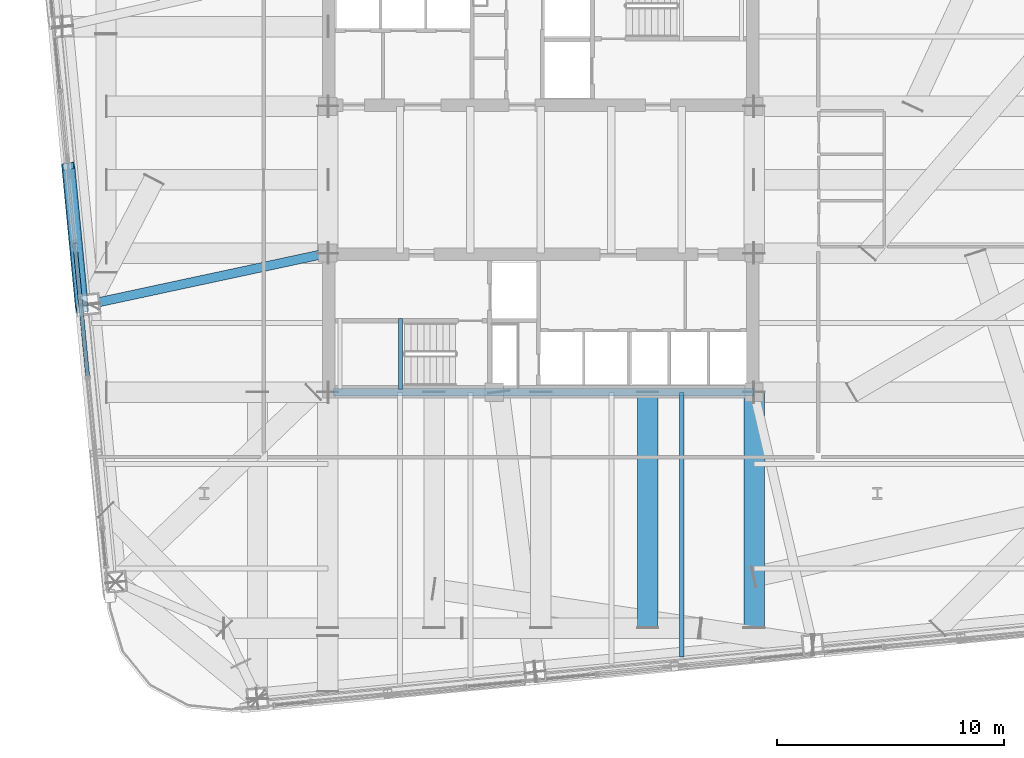
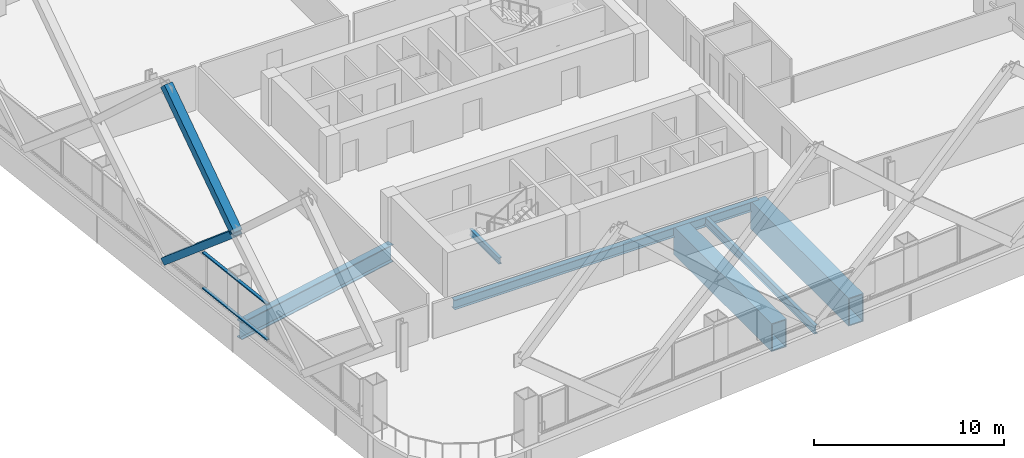
# One storey, part 11 of 42: 6 beams, 4 members, 1 element without a shape of its own.
"""IFC4 building model written with IfcOpenShell, lengths in metres."""

from ifc_helpers import new_model, si_unit, direction, frame, origin, origin_2d, place, context, subcontext, project, spatial, hollow_rectangle, i_section, extrude, material, layer, layer_set, material_profile, profile_set, type_object, element, aggregate, save


model = new_model("IFC4")

# Units and contexts
model_context = context("Model", 3, precision=1e-05, world=origin(), true_north=direction((0.0, 1.0)))
body_context = subcontext(model_context, "Body", "Model", "MODEL_VIEW")
ifc_project = project(units=[si_unit("LENGTHUNIT", "METRE"), si_unit("AREAUNIT", "SQUARE_METRE"), si_unit("VOLUMEUNIT", "CUBIC_METRE"), si_unit("PLANEANGLEUNIT", "RADIAN"), si_unit("MASSUNIT", "GRAM", prefix="KILO")], contexts=[model_context])

# Site, building, storey
site_placement = place(None, origin())
site = spatial("IfcSite", under=ifc_project, at=site_placement, CompositionType="ELEMENT")
building_placement = place(site_placement, origin())
building = spatial("IfcBuilding", under=site, at=building_placement, Name="Qhalaya Broadcast Tower", CompositionType="ELEMENT")
storey_placement = place(building_placement, frame((0.0, 0.0, 69.449951171875)))
storey = spatial("IfcBuildingStorey", under=building, at=storey_placement, Name="L19", CompositionType="ELEMENT", Elevation=69.449951171875)

# Beams
ifc_material_1 = material(Name="Structural Steel ASTM A572 Grade 50", Category="steel")
ifc_material_profile_1 = material_profile(ifc_material_1, hollow_rectangle(XDim=0.89990234375, YDim=1.800048828125, WallThickness=0.06005859375, at=origin_2d()), Name="BOX 900x1800x60")
ifc_profile_set_1 = profile_set([ifc_material_profile_1], Name="Structural Steel ASTM A572 Grade 50")
beam_type_1 = type_object("IfcBeamType", Name="Block Cantilever Transfer Box Girder TG1", PredefinedType="USERDEFINED", material=ifc_profile_set_1)
for number, where, z_axis, x_axis, name in (
    (1, (4.699951171875, -19.090087890625, -1.119873046875), (0.0, 1.0, 0.0), (-1.0, 0.0, 0.0), "L19 TG1 L19-TGIMSE-1"),
    (2, (9.375, -19.090087890625, -1.119873046875), (0.0, 1.0, 0.0), (-1.0, 0.0, 0.0), "L19 TG1 L19-TGISE-1"),
):
    element("IfcBeam", number, at=place(storey_placement, frame(where, z_axis=z_axis, x_axis=x_axis)), inside=storey, type_object=beam_type_1, Name=name, ObjectType="GIRDER", PredefinedType="USERDEFINED", context=body_context, shape_type="SweptSolid", body=[
        extrude(hollow_rectangle(XDim=0.89990234375, YDim=1.800048828125, WallThickness=0.06005859375, at=origin_2d()), origin(), (0.0, 0.0, 1.0), 10.340087890625),
    ])
ifc_material_2 = material(Name="Structural Steel ASTM A992 Grade 50", Category="steel")
ifc_material_profile_2 = material_profile(ifc_material_2, i_section(OverallWidth=0.2099609375, OverallDepth=0.535888671875, WebThickness=0.010986328125, FlangeThickness=0.017333984375, at=origin_2d()), Name="W21X68")
ifc_profile_set_2 = profile_set([ifc_material_profile_2], Name="Structural Steel ASTM A992 Grade 50")
beam_type_2 = type_object("IfcBeamType", Name="Composite Floor Joist J02", PredefinedType="JOIST", material=ifc_profile_set_2)
beam_1_placement = place(storey_placement, frame((6.199951171875, -20.395263671875, -0.488037109375), z_axis=(0.0, 1.0, 0.0), x_axis=(-1.0, 0.0, 0.0)))
element("IfcBeam", 3, at=beam_1_placement, inside=storey, type_object=beam_type_2, Name="L19 J02 L19-JNS5-1", PredefinedType="JOIST", context=body_context, shape_type="SweptSolid", body=[
    extrude(i_section(OverallWidth=0.2099609375, OverallDepth=0.535888671875, WebThickness=0.010986328125, FlangeThickness=0.017333984375, at=origin_2d()), origin(), (0.0, 0.0, 1.0), 11.645263671875),
])
ifc_material_profile_3 = material_profile(ifc_material_2, i_section(OverallWidth=0.323974609375, OverallDepth=0.612060546875, WebThickness=0.0126953125, FlangeThickness=0.01904296875, at=origin_2d()), Name="W24X104")
ifc_profile_set_3 = profile_set([ifc_material_profile_3], Name="Structural Steel ASTM A992 Grade 50")
beam_type_3 = type_object("IfcBeamType", Name="Core Frame Tie Beam B04", PredefinedType="BEAM", material=ifc_profile_set_3)
beam_2_placement = place(storey_placement, frame((-9.1201171875, -8.75, -0.52587890625), z_axis=(1.0, 0.0, 0.0), x_axis=(0.0, 1.0, 0.0)))
element("IfcBeam", 4, at=beam_2_placement, inside=storey, type_object=beam_type_3, Name="L19 B04 L19-CCS3", PredefinedType="BEAM", context=body_context, shape_type="SweptSolid", body=[
    extrude(i_section(OverallWidth=0.323974609375, OverallDepth=0.612060546875, WebThickness=0.0126953125, FlangeThickness=0.01904296875, at=origin_2d()), origin(), (0.0, 0.0, 1.0), 18.4951171875),
])

# Members
ifc_material_profile_4 = material_profile(ifc_material_1, hollow_rectangle(XDim=0.419921875, YDim=0.550048828125, WallThickness=0.028076171875, at=origin_2d()), Name="BOX 420x550x28")
ifc_profile_set_4 = profile_set([ifc_material_profile_4], Name="Structural Steel ASTM A572 Grade 50")
member_type_1 = type_object("IfcMemberType", Name="Exoskeleton Diamond Diagonal Mid-Low EX2", PredefinedType="BRACE", material=ifc_profile_set_4)
member_1_placement = place(storey_placement, frame((-20.78759765625, 1.197509765625, 0.360107421875), z_axis=(0.073066636585, -0.758635580976, 0.647405067864), x_axis=(-0.157184996454, 0.632267567763, 0.758637330775)))
element("IfcMember", 5, at=member_1_placement, inside=storey, type_object=member_type_1, Name="B2 Exoskeleton Diamond Brace W2-D2", PredefinedType="BRACE", context=body_context, shape_type="SweptSolid", body=[
    extrude(hollow_rectangle(XDim=0.419921875, YDim=0.550048828125, WallThickness=0.028076171875, at=origin_2d()), origin(), (0.0, 0.0, 1.0), 8.309814453125),
])
member_2_placement = place(storey_placement, frame((-20.180419921875, -5.106689453125, 5.739990234375), z_axis=(-0.070368182799, 0.730618100613, 0.6791505797), x_axis=(0.160214414414, -0.663721379818, 0.730619785789)))
element("IfcMember", 6, at=member_2_placement, inside=storey, type_object=member_type_1, Name="B2 Exoskeleton Diamond Brace W2-D4", PredefinedType="BRACE", context=body_context, shape_type="SweptSolid", body=[
    extrude(hollow_rectangle(XDim=0.419921875, YDim=0.550048828125, WallThickness=0.028076171875, at=origin_2d()), origin(), (0.0, 0.0, 1.0), 8.628662109375),
])

# Beam
ifc_material_profile_5 = material_profile(ifc_material_2, i_section(OverallWidth=0.404052734375, OverallDepth=1.117919921875, WebThickness=0.026123046875, FlangeThickness=0.044921875, at=origin_2d()), Name="W44X335")
ifc_profile_set_5 = profile_set([ifc_material_profile_5], Name="Structural Steel ASTM A992 Grade 50")
beam_type_4 = type_object("IfcBeamType", Name="Podium Long-Span Primary Girder PG1", PredefinedType="USERDEFINED", material=ifc_profile_set_5)
beam_3_placement = place(storey_placement, frame((-9.375, -2.625, -0.779052734375), z_axis=(-0.977745411902, -0.209794922495, 0.0), x_axis=(0.209794922495, -0.977745411902, 0.0)))
element("IfcBeam", 7, at=beam_3_placement, inside=storey, type_object=beam_type_4, Name="L19 Column-to-Column Moment Tie Girder 15-1", ObjectType="GIRDER", PredefinedType="USERDEFINED", context=body_context, shape_type="SweptSolid", body=[
    extrude(i_section(OverallWidth=0.404052734375, OverallDepth=1.117919921875, WebThickness=0.026123046875, FlangeThickness=0.044921875, at=origin_2d()), origin(), (0.0, 0.0, 1.0), 10.724853515625),
])

# Curtain wall, members
ifc_material_3 = material(Name="Solar-Control Low-E Triple Glazing", Category="glass")
ifc_layer = layer(ifc_material_3, 0.219970703125, Name="Solar-Control Low-E Triple Glazing")
ifc_layer_set = layer_set([ifc_layer], Name="Solar-Control Low-E Triple Glazing")
curtain_wall_type = type_object("IfcCurtainWallType", Name="Even-Block 4-Storey Double-Module Curtain Wall CW-03", PredefinedType="NOTDEFINED", material=ifc_layer_set)
curtain_wall_placement = place(storey_placement, origin())
curtain_wall = element("IfcCurtainWall", 8, at=curtain_wall_placement, inside=storey, type_object=curtain_wall_type, Name="L19 Unitised Curtain Wall L19-CW-W5", PredefinedType="NOTDEFINED")
ifc_material_4 = material(Name="Anodised Aluminium 6063-T6", Category="aluminium")
ifc_material_profile_6 = material_profile(ifc_material_4, hollow_rectangle(XDim=0.074951171875, YDim=0.179931640625, WallThickness=0.00390625, at=origin_2d()), Name="ALU-TRN 75x180x4")
ifc_profile_set_6 = profile_set([ifc_material_profile_6], Name="Anodised Aluminium 6063-T6")
member_type_2 = type_object("IfcMemberType", Name="Unitised Curtain-Wall Transom T01", PredefinedType="USERDEFINED", material=ifc_profile_set_6)
member_3_placement = place(storey_placement, frame((-20.500732421875, -2.196533203125, 0.517578125), z_axis=(0.095836372519, -0.995397101514, 0.0), x_axis=(0.0, 0.0, 1.0)))
member_3 = element("IfcMember", 9, at=member_3_placement, type_object=member_type_2, Name="CW-03 transom 1.1", ObjectType="TRANSOM", PredefinedType="USERDEFINED", context=body_context, shape_type="SweptSolid", body=[
    extrude(hollow_rectangle(XDim=0.074951171875, YDim=0.179931640625, WallThickness=0.00390625, at=origin_2d()), origin(), (0.0, 0.0, 1.0), 5.85400390625),
])
member_4_placement = place(storey_placement, frame((-20.500732421875, -2.196533203125, 2.79248046875), z_axis=(0.095836372519, -0.995397101514, 0.0), x_axis=(0.0, 0.0, 1.0)))
member_4 = element("IfcMember", 10, at=member_4_placement, type_object=member_type_2, Name="CW-03 transom 1.2", ObjectType="TRANSOM", PredefinedType="USERDEFINED", context=body_context, shape_type="SweptSolid", body=[
    extrude(hollow_rectangle(XDim=0.074951171875, YDim=0.179931640625, WallThickness=0.00390625, at=origin_2d()), origin(), (0.0, 0.0, 1.0), 5.85400390625),
])
aggregate(curtain_wall, [member_3, member_4])

# Beam
ifc_material_profile_7 = material_profile(ifc_material_2, i_section(OverallWidth=0.177978515625, OverallDepth=0.406005859375, WebThickness=0.0078125, FlangeThickness=0.0126953125, at=origin_2d()), Name="W16X40")
ifc_profile_set_7 = profile_set([ifc_material_profile_7], Name="Structural Steel ASTM A992 Grade 50")
beam_type_5 = type_object("IfcBeamType", Name="Upper Perimeter Spandrel Beam SP2", PredefinedType="SPANDREL", material=ifc_profile_set_7)
beam_4_placement = place(storey_placement, frame((-6.175048828125, -8.6201171875, 1.1220703125), z_axis=(0.0, 1.0, 0.0), x_axis=(-1.0, 0.0, 0.0)))
element("IfcBeam", 11, at=beam_4_placement, inside=storey, type_object=beam_type_5, Name="L19 ST-2 Half-Landing Bearer Beam 2", PredefinedType="SPANDREL", context=body_context, shape_type="SweptSolid", body=[
    extrude(i_section(OverallWidth=0.177978515625, OverallDepth=0.406005859375, WebThickness=0.0078125, FlangeThickness=0.0126953125, at=origin_2d()), origin(), (0.0, 0.0, 1.0), 3.1201171875),
])

save(model, "model.ifc")
